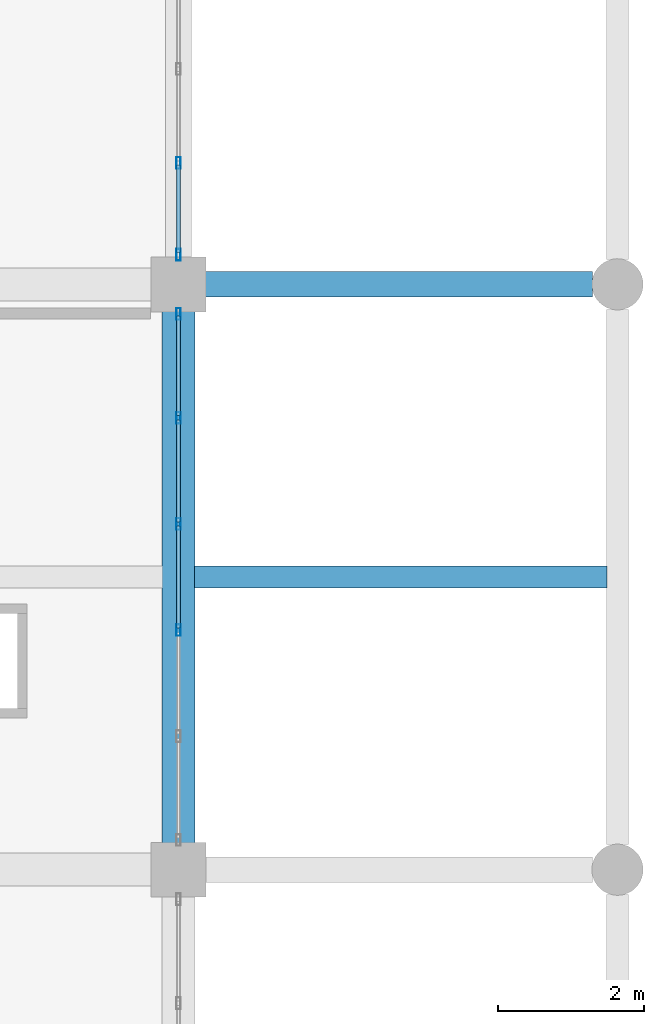
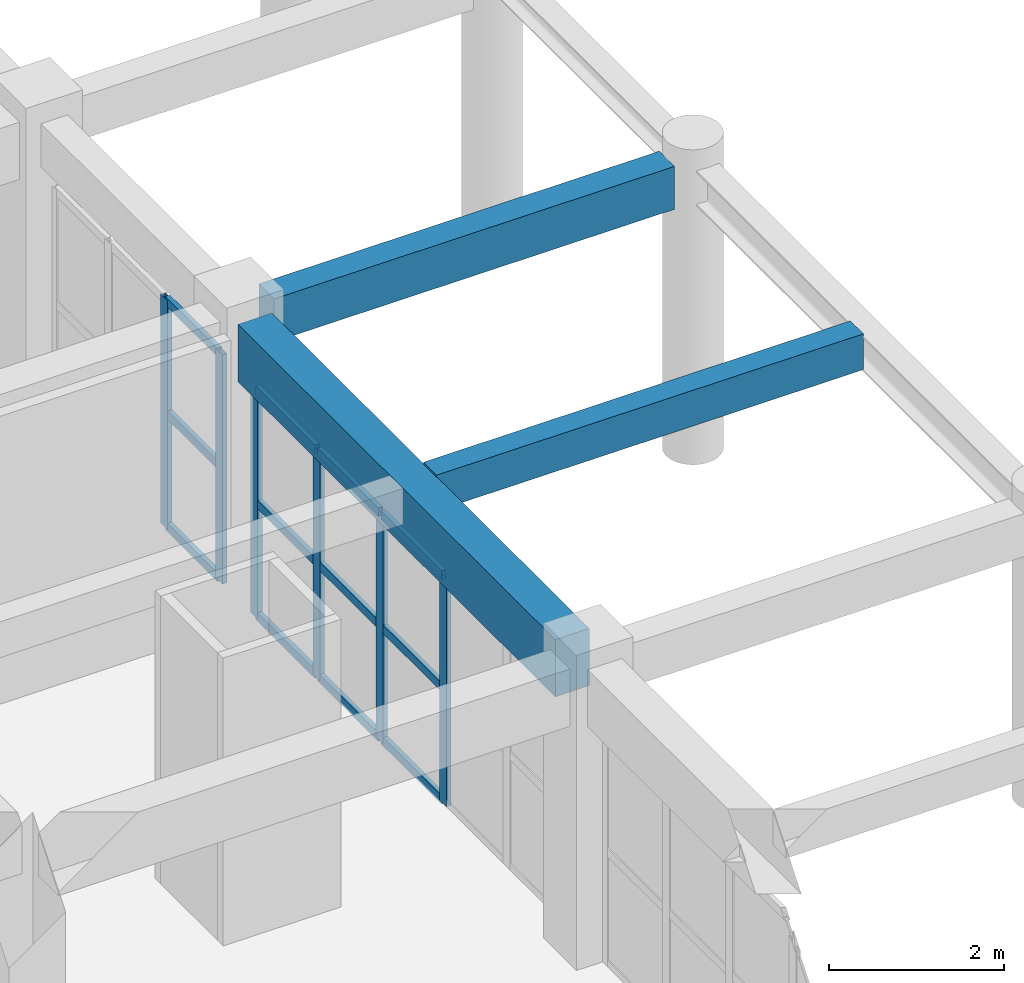
# One storey, part 59 of 116: 18 members, 3 beams, 2 elements without a shape of their own.
"""IFC4 building model written with IfcOpenShell, lengths in metres."""

from ifc_helpers import new_model, si_unit, direction, frame, origin, origin_2d, place, context, subcontext, project, spatial, rectangle, hollow_rectangle, extrude, material, layer, layer_set, material_profile, profile_set, type_object, element, aggregate, save


model = new_model("IFC4")

# Units and contexts
model_context = context("Model", 3, precision=1e-05, world=origin(), true_north=direction((0.0, 1.0)))
body_context = subcontext(model_context, "Body", "Model", "MODEL_VIEW")
ifc_project = project(units=[si_unit("LENGTHUNIT", "METRE"), si_unit("AREAUNIT", "SQUARE_METRE"), si_unit("VOLUMEUNIT", "CUBIC_METRE"), si_unit("PLANEANGLEUNIT", "RADIAN"), si_unit("MASSUNIT", "GRAM", prefix="KILO")], contexts=[model_context])

# Site, building, storey
site_placement = place(None, origin())
site = spatial("IfcSite", under=ifc_project, at=site_placement, CompositionType="ELEMENT")
building_placement = place(site_placement, origin())
building = spatial("IfcBuilding", under=site, at=building_placement, Name="Muzn Square Opera House", CompositionType="ELEMENT")
storey_placement = place(building_placement, frame((0.0, 0.0, 5.39990234375)))
storey = spatial("IfcBuildingStorey", under=building, at=storey_placement, Name="L01", CompositionType="ELEMENT", Elevation=5.39990234375)

# Curtain wall, members
ifc_material_1 = material(Name="Low-E laminated acoustic double glazing", Category="glass")
ifc_layer_1 = layer(ifc_material_1, 0.159912109375, Name="Low-E laminated acoustic double glazing", Category="glass")
ifc_layer_set_1 = layer_set([ifc_layer_1], Name="Low-E laminated acoustic double glazing")
curtain_wall_type_1 = type_object("IfcCurtainWallType", Name="Glazed Curtain Wall EastBlvd 7250x3200", PredefinedType="USERDEFINED", material=ifc_layer_set_1)
curtain_wall_1_placement = place(storey_placement, origin())
curtain_wall_1 = element("IfcCurtainWall", 1, at=curtain_wall_1_placement, inside=storey, type_object=curtain_wall_type_1, Name="Glazed Curtain Wall CW-L01-113", ObjectType="GLAZED CURTAIN WALL", PredefinedType="USERDEFINED")
ifc_material_2 = material(Name="Anodised bronze aluminium 6063-T6", Category="metal")
ifc_material_profile_1 = material_profile(ifc_material_2, hollow_rectangle(XDim=0.06005859375, YDim=0.159912109375, WallThickness=0.00390625, at=origin_2d()), Name="ALU 160x60x4", Category="metal")
ifc_profile_set_1 = profile_set([ifc_material_profile_1], Name="Anodised bronze aluminium 6063-T6")
member_type_1 = type_object("IfcMemberType", Name="Curtain Wall Mullion 160x60", PredefinedType="MULLION", material=ifc_profile_set_1)
member_1_placement = place(storey_placement, frame((170.0, 17.27490234375, 0.0), z_axis=(0.0, 0.0, 1.0), x_axis=(-1.0, 0.0, 0.0)))
member_1 = element("IfcMember", 2, at=member_1_placement, type_object=member_type_1, Name="CW-EBL-72x32 mullion 3", PredefinedType="MULLION", context=body_context, shape_type="SweptSolid", body=[
    extrude(hollow_rectangle(XDim=0.06005859375, YDim=0.159912109375, WallThickness=0.00390625, at=origin_2d()), origin(), (0.0, 0.0, 1.0), 3.2001953125),
])
member_2_placement = place(storey_placement, frame((170.0, 18.72509765625, 0.0), z_axis=(0.0, 0.0, 1.0), x_axis=(-1.0, 0.0, 0.0)))
member_2 = element("IfcMember", 3, at=member_2_placement, type_object=member_type_1, Name="CW-EBL-72x32 mullion 4", PredefinedType="MULLION", context=body_context, shape_type="SweptSolid", body=[
    extrude(hollow_rectangle(XDim=0.06005859375, YDim=0.159912109375, WallThickness=0.00390625, at=origin_2d()), origin(), (0.0, 0.0, 1.0), 3.2001953125),
])
member_3_placement = place(storey_placement, frame((170.0, 20.175048828125, 0.0), z_axis=(0.0, 0.0, 1.0), x_axis=(-1.0, 0.0, 0.0)))
member_3 = element("IfcMember", 4, at=member_3_placement, type_object=member_type_1, Name="CW-EBL-72x32 mullion 5", PredefinedType="MULLION", context=body_context, shape_type="SweptSolid", body=[
    extrude(hollow_rectangle(XDim=0.06005859375, YDim=0.159912109375, WallThickness=0.00390625, at=origin_2d()), origin(), (0.0, 0.0, 1.0), 3.2001953125),
])
member_4_placement = place(storey_placement, frame((170.0, 21.594970703125, 0.0), z_axis=(0.0, 0.0, 1.0), x_axis=(-1.0, 0.0, 0.0)))
member_4 = element("IfcMember", 5, at=member_4_placement, type_object=member_type_1, Name="CW-EBL-72x32 mullion 6", PredefinedType="MULLION", context=body_context, shape_type="SweptSolid", body=[
    extrude(hollow_rectangle(XDim=0.06005859375, YDim=0.159912109375, WallThickness=0.00390625, at=origin_2d()), origin(), (0.0, 0.0, 1.0), 3.2001953125),
])

ifc_layer_2 = layer(ifc_material_1, 0.159912109375, Name="Low-E laminated acoustic double glazing", Category="glass")
ifc_layer_set_2 = layer_set([ifc_layer_2], Name="Low-E laminated acoustic double glazing")
curtain_wall_type_2 = type_object("IfcCurtainWallType", Name="Glazed Curtain Wall EastBlvd 3850x3200", PredefinedType="USERDEFINED", material=ifc_layer_set_2)
curtain_wall_2_placement = place(storey_placement, origin())
curtain_wall_2 = element("IfcCurtainWall", 6, at=curtain_wall_2_placement, inside=storey, type_object=curtain_wall_type_2, Name="Glazed Curtain Wall CW-L01-114", ObjectType="GLAZED CURTAIN WALL", PredefinedType="USERDEFINED")
member_5_placement = place(storey_placement, frame((170.0, 22.405029296875, 0.0), z_axis=(0.0, 0.0, 1.0), x_axis=(-1.0, 0.0, 0.0)))
member_5 = element("IfcMember", 7, at=member_5_placement, type_object=member_type_1, Name="CW-EBL-38x32 mullion 1", PredefinedType="MULLION", context=body_context, shape_type="SweptSolid", body=[
    extrude(hollow_rectangle(XDim=0.06005859375, YDim=0.159912109375, WallThickness=0.00390625, at=origin_2d()), origin(), (0.0, 0.0, 1.0), 3.2001953125),
])
member_6_placement = place(storey_placement, frame((170.0, 23.658447265625, 0.0), z_axis=(0.0, 0.0, 1.0), x_axis=(-1.0, 0.0, 0.0)))
member_6 = element("IfcMember", 8, at=member_6_placement, type_object=member_type_1, Name="CW-EBL-38x32 mullion 2", PredefinedType="MULLION", context=body_context, shape_type="SweptSolid", body=[
    extrude(hollow_rectangle(XDim=0.06005859375, YDim=0.159912109375, WallThickness=0.00390625, at=origin_2d()), origin(), (0.0, 0.0, 1.0), 3.2001953125),
])

# Member
ifc_material_profile_2 = material_profile(ifc_material_2, hollow_rectangle(XDim=0.06005859375, YDim=0.1201171875, WallThickness=0.00390625, at=origin_2d()), Name="ALU 120x60x4", Category="metal")
ifc_profile_set_2 = profile_set([ifc_material_profile_2], Name="Anodised bronze aluminium 6063-T6")
member_type_2 = type_object("IfcMemberType", Name="Curtain Wall Transom 120x60", PredefinedType="USERDEFINED", material=ifc_profile_set_2)
member_7_placement = place(storey_placement, frame((170.0, 17.304931640625, 0.030029296875), z_axis=(0.0, 1.0, 0.0), x_axis=(-1.0, 0.0, 0.0)))
member_7 = element("IfcMember", 9, at=member_7_placement, type_object=member_type_2, Name="CW-EBL-72x32 transom 3.1", ObjectType="TRANSOM", PredefinedType="USERDEFINED", context=body_context, shape_type="SweptSolid", body=[
    extrude(hollow_rectangle(XDim=0.06005859375, YDim=0.1201171875, WallThickness=0.00390625, at=origin_2d()), origin(), (0.0, 0.0, 1.0), 1.39013671875),
])

member_8_placement = place(storey_placement, frame((170.0, 17.304931640625, 1.60009765625), z_axis=(0.0, 1.0, 0.0), x_axis=(-1.0, 0.0, 0.0)))
member_8 = element("IfcMember", 10, at=member_8_placement, type_object=member_type_2, Name="CW-EBL-72x32 transom 3.2", ObjectType="TRANSOM", PredefinedType="USERDEFINED", context=body_context, shape_type="SweptSolid", body=[
    extrude(hollow_rectangle(XDim=0.06005859375, YDim=0.1201171875, WallThickness=0.00390625, at=origin_2d()), origin(), (0.0, 0.0, 1.0), 1.39013671875),
])

member_9_placement = place(storey_placement, frame((170.0, 17.304931640625, 3.170166015625), z_axis=(0.0, 1.0, 0.0), x_axis=(-1.0, 0.0, 0.0)))
member_9 = element("IfcMember", 11, at=member_9_placement, type_object=member_type_2, Name="CW-EBL-72x32 transom 3.3", ObjectType="TRANSOM", PredefinedType="USERDEFINED", context=body_context, shape_type="SweptSolid", body=[
    extrude(hollow_rectangle(XDim=0.06005859375, YDim=0.1201171875, WallThickness=0.00390625, at=origin_2d()), origin(), (0.0, 0.0, 1.0), 1.39013671875),
])

member_10_placement = place(storey_placement, frame((170.0, 18.7548828125, 0.030029296875), z_axis=(0.0, 1.0, 0.0), x_axis=(-1.0, 0.0, 0.0)))
member_10 = element("IfcMember", 12, at=member_10_placement, type_object=member_type_2, Name="CW-EBL-72x32 transom 4.1", ObjectType="TRANSOM", PredefinedType="USERDEFINED", context=body_context, shape_type="SweptSolid", body=[
    extrude(hollow_rectangle(XDim=0.06005859375, YDim=0.1201171875, WallThickness=0.00390625, at=origin_2d()), origin(), (0.0, 0.0, 1.0), 1.39013671875),
])

member_11_placement = place(storey_placement, frame((170.0, 18.7548828125, 1.60009765625), z_axis=(0.0, 1.0, 0.0), x_axis=(-1.0, 0.0, 0.0)))
member_11 = element("IfcMember", 13, at=member_11_placement, type_object=member_type_2, Name="CW-EBL-72x32 transom 4.2", ObjectType="TRANSOM", PredefinedType="USERDEFINED", context=body_context, shape_type="SweptSolid", body=[
    extrude(hollow_rectangle(XDim=0.06005859375, YDim=0.1201171875, WallThickness=0.00390625, at=origin_2d()), origin(), (0.0, 0.0, 1.0), 1.39013671875),
])

member_12_placement = place(storey_placement, frame((170.0, 18.7548828125, 3.170166015625), z_axis=(0.0, 1.0, 0.0), x_axis=(-1.0, 0.0, 0.0)))
member_12 = element("IfcMember", 14, at=member_12_placement, type_object=member_type_2, Name="CW-EBL-72x32 transom 4.3", ObjectType="TRANSOM", PredefinedType="USERDEFINED", context=body_context, shape_type="SweptSolid", body=[
    extrude(hollow_rectangle(XDim=0.06005859375, YDim=0.1201171875, WallThickness=0.00390625, at=origin_2d()), origin(), (0.0, 0.0, 1.0), 1.39013671875),
])

member_13_placement = place(storey_placement, frame((170.0, 20.205078125, 0.030029296875), z_axis=(0.0, 1.0, 0.0), x_axis=(-1.0, 0.0, 0.0)))
member_13 = element("IfcMember", 15, at=member_13_placement, type_object=member_type_2, Name="CW-EBL-72x32 transom 5.1", ObjectType="TRANSOM", PredefinedType="USERDEFINED", context=body_context, shape_type="SweptSolid", body=[
    extrude(hollow_rectangle(XDim=0.06005859375, YDim=0.1201171875, WallThickness=0.00390625, at=origin_2d()), origin(), (0.0, 0.0, 1.0), 1.35986328125),
])

member_14_placement = place(storey_placement, frame((170.0, 20.205078125, 1.60009765625), z_axis=(0.0, 1.0, 0.0), x_axis=(-1.0, 0.0, 0.0)))
member_14 = element("IfcMember", 16, at=member_14_placement, type_object=member_type_2, Name="CW-EBL-72x32 transom 5.2", ObjectType="TRANSOM", PredefinedType="USERDEFINED", context=body_context, shape_type="SweptSolid", body=[
    extrude(hollow_rectangle(XDim=0.06005859375, YDim=0.1201171875, WallThickness=0.00390625, at=origin_2d()), origin(), (0.0, 0.0, 1.0), 1.35986328125),
])

member_15_placement = place(storey_placement, frame((170.0, 20.205078125, 3.170166015625), z_axis=(0.0, 1.0, 0.0), x_axis=(-1.0, 0.0, 0.0)))
member_15 = element("IfcMember", 17, at=member_15_placement, type_object=member_type_2, Name="CW-EBL-72x32 transom 5.3", ObjectType="TRANSOM", PredefinedType="USERDEFINED", context=body_context, shape_type="SweptSolid", body=[
    extrude(hollow_rectangle(XDim=0.06005859375, YDim=0.1201171875, WallThickness=0.00390625, at=origin_2d()), origin(), (0.0, 0.0, 1.0), 1.35986328125),
])

aggregate(curtain_wall_1, [member_1, member_2, member_3, member_4, member_7, member_8, member_9, member_10, member_11, member_12, member_13, member_14, member_15])

member_16_placement = place(storey_placement, frame((170.0, 22.43505859375, 0.030029296875), z_axis=(0.0, 1.0, 0.0), x_axis=(-1.0, 0.0, 0.0)))
member_16 = element("IfcMember", 18, at=member_16_placement, type_object=member_type_2, Name="CW-EBL-38x32 transom 1.1", ObjectType="TRANSOM", PredefinedType="USERDEFINED", context=body_context, shape_type="SweptSolid", body=[
    extrude(hollow_rectangle(XDim=0.06005859375, YDim=0.1201171875, WallThickness=0.00390625, at=origin_2d()), origin(), (0.0, 0.0, 1.0), 1.193359375),
])

member_17_placement = place(storey_placement, frame((170.0, 22.43505859375, 1.60009765625), z_axis=(0.0, 1.0, 0.0), x_axis=(-1.0, 0.0, 0.0)))
member_17 = element("IfcMember", 19, at=member_17_placement, type_object=member_type_2, Name="CW-EBL-38x32 transom 1.2", ObjectType="TRANSOM", PredefinedType="USERDEFINED", context=body_context, shape_type="SweptSolid", body=[
    extrude(hollow_rectangle(XDim=0.06005859375, YDim=0.1201171875, WallThickness=0.00390625, at=origin_2d()), origin(), (0.0, 0.0, 1.0), 1.193359375),
])

member_18_placement = place(storey_placement, frame((170.0, 22.43505859375, 3.170166015625), z_axis=(0.0, 1.0, 0.0), x_axis=(-1.0, 0.0, 0.0)))
member_18 = element("IfcMember", 20, at=member_18_placement, type_object=member_type_2, Name="CW-EBL-38x32 transom 1.3", ObjectType="TRANSOM", PredefinedType="USERDEFINED", context=body_context, shape_type="SweptSolid", body=[
    extrude(hollow_rectangle(XDim=0.06005859375, YDim=0.1201171875, WallThickness=0.00390625, at=origin_2d()), origin(), (0.0, 0.0, 1.0), 1.193359375),
])

aggregate(curtain_wall_2, [member_5, member_6, member_16, member_17, member_18])

# Beams
ifc_material_3 = material(Name="Concrete C40/50", Category="concrete")
ifc_material_profile_3 = material_profile(ifc_material_3, rectangle(XDim=0.300048828125, YDim=0.5, at=origin_2d()), Name="RCJ 300x500", Category="concrete")
ifc_profile_set_3 = profile_set([ifc_material_profile_3], Name="Concrete C40/50")
beam_type_1 = type_object("IfcBeamType", Name="Floor Joist 300x500", PredefinedType="JOIST", material=ifc_profile_set_3)
beam_1_placement = place(storey_placement, frame((170.217041015625, 18.0, 3.900146484375), z_axis=(1.0, 0.0, 0.0), x_axis=(0.0, 1.0, 0.0)))
element("IfcBeam", 21, at=beam_1_placement, inside=storey, type_object=beam_type_1, Name="Floor Joist BM-L01-BM-J500-1702_180_1759_180-1933", PredefinedType="JOIST", context=body_context, shape_type="SweptSolid", body=[
    extrude(rectangle(XDim=0.300048828125, YDim=0.5, at=origin_2d()), origin(), (0.0, 0.0, 1.0), 5.640869140625),
])
ifc_material_profile_4 = material_profile(ifc_material_3, rectangle(XDim=0.35009765625, YDim=0.60009765625, at=origin_2d()), Name="RCB 350x600", Category="concrete")
ifc_profile_set_4 = profile_set([ifc_material_profile_4], Name="Concrete C40/50")
beam_type_2 = type_object("IfcBeamType", Name="Primary Girder 350x600", PredefinedType="BEAM", material=ifc_profile_set_4)
beam_2_placement = place(storey_placement, frame((170.366943359375, 22.0, 3.85009765625), z_axis=(1.0, 0.0, 0.0), x_axis=(0.0, 1.0, 0.0)))
element("IfcBeam", 22, at=beam_2_placement, inside=storey, type_object=beam_type_2, Name="Primary Girder BM-L01-BM-PG600-1704_220_1757_220-1294", PredefinedType="BEAM", context=body_context, shape_type="SweptSolid", body=[
    extrude(rectangle(XDim=0.35009765625, YDim=0.60009765625, at=origin_2d()), origin(), (0.0, 0.0, 1.0), 5.291015625),
])
ifc_material_profile_5 = material_profile(ifc_material_3, rectangle(XDim=0.449951171875, YDim=0.800048828125, at=origin_2d()), Name="RCB 450x800", Category="concrete")
ifc_profile_set_5 = profile_set([ifc_material_profile_5], Name="Concrete C40/50")
beam_type_3 = type_object("IfcBeamType", Name="Primary Girder 450x800", PredefinedType="BEAM", material=ifc_profile_set_5)
beam_3_placement = place(storey_placement, frame((170.0, 14.366943359375, 3.72021484375), z_axis=(0.0, 1.0, 0.0), x_axis=(-1.0, 0.0, 0.0)))
element("IfcBeam", 23, at=beam_3_placement, inside=storey, type_object=beam_type_3, Name="Primary Girder BM-L01-BM-PG800-1700_144_1700_216-1767", PredefinedType="BEAM", context=body_context, shape_type="SweptSolid", body=[
    extrude(rectangle(XDim=0.449951171875, YDim=0.800048828125, at=origin_2d()), origin(), (0.0, 0.0, 1.0), 7.26611328125),
])

save(model, "model.ifc")
